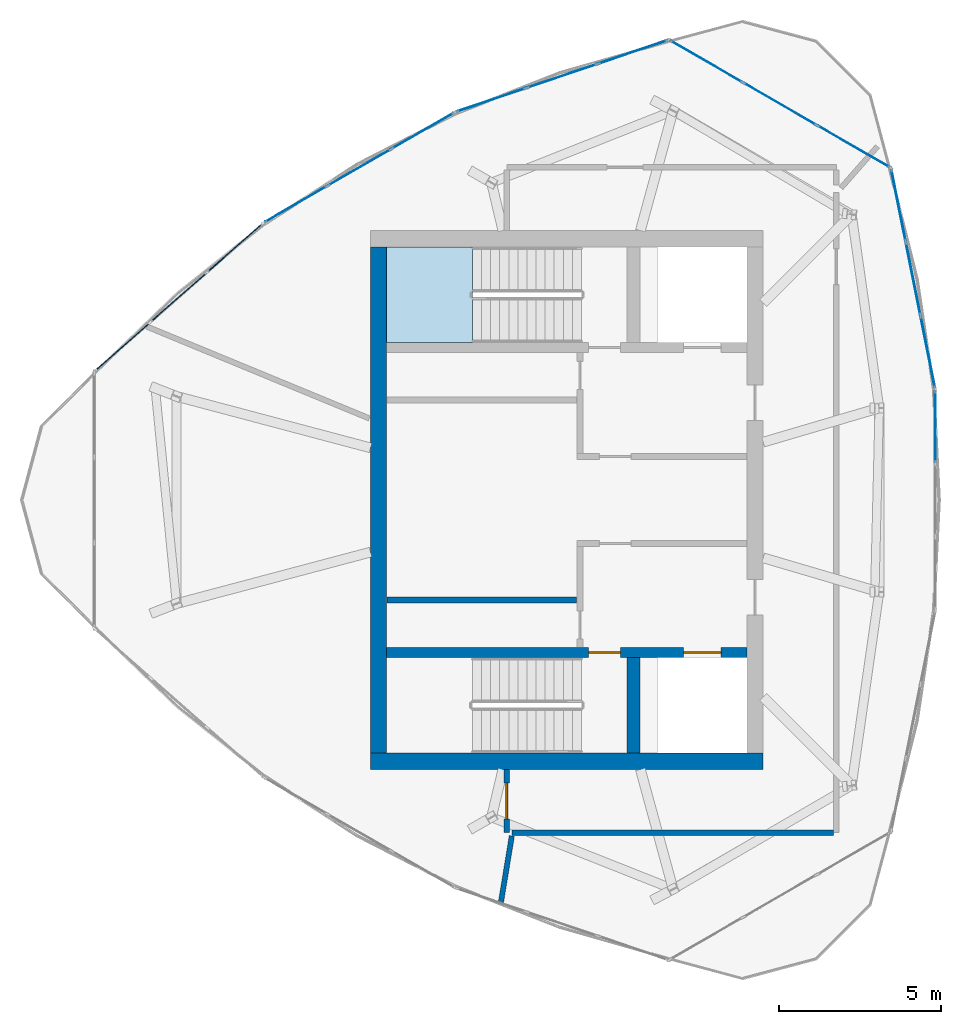
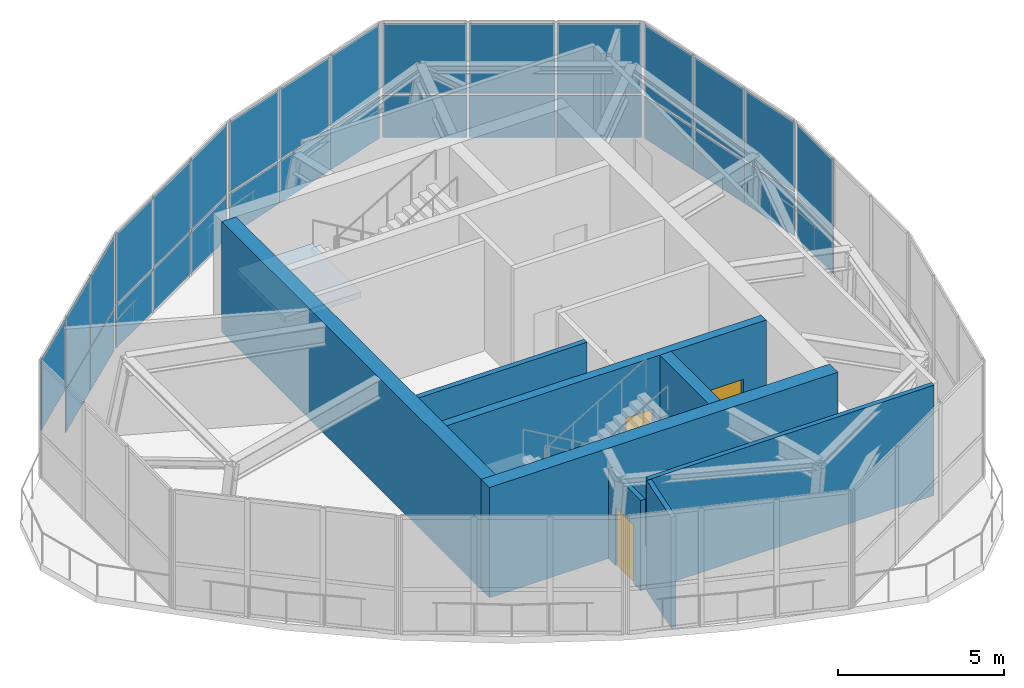
# One storey, part 6 of 9: 31 plates, 8 walls, 3 doors, 1 slab, 3 openings, 7 elements without a shape of their own.
"""IFC4 building model written with IfcOpenShell, lengths in metres."""

from ifc_helpers import new_model, si_unit, direction, frame, frame_2d, origin, origin_2d, place, context, subcontext, project, spatial, polyline, rectangle, outline, extrude, source, transform, mapped, material, layer, layer_set, type_object, element, fill, aggregate, save


model = new_model("IFC4")

# Units and contexts
model_context = context("Model", 3, precision=1e-05, world=origin(), true_north=direction((0.0, 1.0)))
body_context = subcontext(model_context, "Body", "Model", "MODEL_VIEW")
ifc_project = project(units=[si_unit("LENGTHUNIT", "METRE"), si_unit("AREAUNIT", "SQUARE_METRE"), si_unit("VOLUMEUNIT", "CUBIC_METRE"), si_unit("PLANEANGLEUNIT", "RADIAN"), si_unit("MASSUNIT", "GRAM", prefix="KILO")], contexts=[model_context])

# Site, building, storey
site_placement = place(None, origin())
site = spatial("IfcSite", under=ifc_project, at=site_placement, CompositionType="ELEMENT")
building_placement = place(site_placement, origin())
building = spatial("IfcBuilding", under=site, at=building_placement, Name="Qafzar Sky-Pleat Residences", CompositionType="ELEMENT")
storey_placement = place(building_placement, frame((0.0, 0.0, 266.10009765625)))
storey = spatial("IfcBuildingStorey", under=building, at=storey_placement, Name="L79 Crown", CompositionType="ELEMENT", Elevation=266.10009765625)

# Stair, slab
ifc_material_1 = material(Name="Concrete C40/50", Category="concrete")
stair_type = type_object("IfcStairType", Name="STAIR-H430", PredefinedType="HALF_TURN_STAIR", material=ifc_material_1)
stair_placement = place(storey_placement, origin())
stair = element("IfcStair", 1, at=stair_placement, inside=storey, type_object=stair_type, Name="L79 Crown Protected Exit Stair ST2", PredefinedType="HALF_TURN_STAIR")
ifc_layer_1 = layer(ifc_material_1, 0.199951171875)
ifc_layer_set_1 = layer_set([ifc_layer_1], Name="Concrete C40/50")
slab_type = type_object("IfcSlabType", Name="SLAB-LANDING-200", PredefinedType="LANDING", material=ifc_layer_set_1)
slab_placement = place(storey_placement, frame((0.0, 0.0, 1.949951171875)))
slab = element("IfcSlab", 2, at=slab_placement, type_object=slab_type, Name="ST2 landing 1", PredefinedType="LANDING", context=body_context, shape_type="SweptSolid", body=[
    extrude(outline(polyline([(27.43994140625, 33.800048828125), (24.800048828125, 33.800048828125), (24.800048828125, 30.85009765625), (27.43994140625, 30.85009765625), (27.43994140625, 33.800048828125)])), origin(), (0.0, 0.0, 1.0), 0.199951171875),
])
aggregate(stair, [slab])

# Curtain wall, plates
ifc_material_2 = material(Name="Anodised bronze aluminium framing", Category="aluminium")
ifc_layer_2 = layer(ifc_material_2, 0.179931640625)
ifc_layer_set_2 = layer_set([ifc_layer_2], Name="Anodised bronze aluminium framing")
curtain_wall_type = type_object("IfcCurtainWallType", Name="CW-SYS-06", PredefinedType="NOTDEFINED", material=ifc_layer_set_2)
curtain_wall_1_placement = place(storey_placement, origin())
curtain_wall_1 = element("IfcCurtainWall", 3, at=curtain_wall_1_placement, inside=storey, type_object=curtain_wall_type, Name="L79 Crown CW-06 Curtain Wall CW-CROWN-04-09", PredefinedType="NOTDEFINED")
ifc_material_3 = material(Name="Solar-control double low-E glazing", Category="glass")
ifc_layer_3 = layer(ifc_material_3, 0.02587890625)
ifc_layer_set_3 = layer_set([ifc_layer_3], Name="Solar-control double low-E glazing")
plate_type = type_object("IfcPlateType", Name="CWP-06", PredefinedType="CURTAIN_PANEL", material=ifc_layer_set_3)
shared_shape_1 = source(origin(), body_context, "Body", "SweptSolid", [
    extrude(rectangle(XDim=2.544189453125, YDim=0.02587890625, at=origin_2d()), origin(), (0.0, 0.0, 1.0), 1.5439453125),
])
plate_1_placement = place(storey_placement, frame((39.184326171875, 36.890869140625, 0.059814453125), z_axis=(0.0, 0.0, 1.0), x_axis=(-0.866024595172, 0.500001400555, 0.0)))
plate_1 = element("IfcPlate", 4, at=plate_1_placement, type_object=plate_type, Name="CW-06 panel 1.1", PredefinedType="CURTAIN_PANEL", context=body_context, shape_type="MappedRepresentation", body=[
    mapped(shared_shape_1, transform((0.0, 0.0, 0.0), x_axis=(1.0, 0.0, 0.0), y_axis=(0.0, 1.0, 0.0), z_axis=(0.0, 0.0, 1.0), scale=1.0)),
])
plate_2_placement = place(storey_placement, frame((34.647705078125, 39.51025390625, 0.059814453125), z_axis=(0.0, 0.0, 1.0), x_axis=(-0.866024595172, 0.500001400555, 0.0)))
plate_2 = element("IfcPlate", 5, at=plate_2_placement, type_object=plate_type, Name="CW-06 panel 3.1", PredefinedType="CURTAIN_PANEL", context=body_context, shape_type="MappedRepresentation", body=[
    mapped(shared_shape_1, transform((0.0, 0.0, 0.0), x_axis=(1.0, 0.0, 0.0), y_axis=(0.0, 1.0, 0.0), z_axis=(0.0, 0.0, 1.0), scale=1.0)),
])
shared_shape_2 = source(origin(), body_context, "Body", "SweptSolid", [
    extrude(rectangle(XDim=2.544189453125, YDim=0.02587890625, at=origin_2d()), origin(), (0.0, 0.0, 1.0), 2.575927734375),
])
plate_3_placement = place(storey_placement, frame((39.184326171875, 36.890869140625, 1.6640625), z_axis=(0.0, 0.0, 1.0), x_axis=(-0.866024595172, 0.500001400555, 0.0)))
plate_3 = element("IfcPlate", 6, at=plate_3_placement, type_object=plate_type, Name="CW-06 panel 1.2", PredefinedType="CURTAIN_PANEL", context=body_context, shape_type="MappedRepresentation", body=[
    mapped(shared_shape_2, transform((0.0, 0.0, 0.0), x_axis=(1.0, 0.0, 0.0), y_axis=(0.0, 1.0, 0.0), z_axis=(0.0, 0.0, 1.0), scale=1.0)),
])
plate_4_placement = place(storey_placement, frame((34.647705078125, 39.51025390625, 1.6640625), z_axis=(0.0, 0.0, 1.0), x_axis=(-0.866024595172, 0.500001400555, 0.0)))
plate_4 = element("IfcPlate", 7, at=plate_4_placement, type_object=plate_type, Name="CW-06 panel 3.2", PredefinedType="CURTAIN_PANEL", context=body_context, shape_type="MappedRepresentation", body=[
    mapped(shared_shape_2, transform((0.0, 0.0, 0.0), x_axis=(1.0, 0.0, 0.0), y_axis=(0.0, 1.0, 0.0), z_axis=(0.0, 0.0, 1.0), scale=1.0)),
])
shared_shape_3 = source(origin(), body_context, "Body", "SweptSolid", [
    extrude(rectangle(XDim=2.57421875, YDim=0.02587890625, at=origin_2d()), origin(), (0.0, 0.0, 1.0), 1.5439453125),
])
plate_5_placement = place(storey_placement, frame((36.916015625, 38.200439453125, 0.059814453125), z_axis=(0.0, 0.0, 1.0), x_axis=(-0.866024595172, 0.500001400555, 0.0)))
plate_5 = element("IfcPlate", 8, at=plate_5_placement, type_object=plate_type, Name="CW-06 panel 2.1", PredefinedType="CURTAIN_PANEL", context=body_context, shape_type="MappedRepresentation", body=[
    mapped(shared_shape_3, transform((0.0, 0.0, 0.0), x_axis=(1.0, 0.0, 0.0), y_axis=(0.0, 1.0, 0.0), z_axis=(0.0, 0.0, 1.0), scale=1.0)),
])
shared_shape_4 = source(origin(), body_context, "Body", "SweptSolid", [
    extrude(rectangle(XDim=2.57421875, YDim=0.02587890625, at=origin_2d()), origin(), (0.0, 0.0, 1.0), 2.575927734375),
])
plate_6_placement = place(storey_placement, frame((36.916015625, 38.200439453125, 1.6640625), z_axis=(0.0, 0.0, 1.0), x_axis=(-0.866024595172, 0.500001400555, 0.0)))
plate_6 = element("IfcPlate", 9, at=plate_6_placement, type_object=plate_type, Name="CW-06 panel 2.2", PredefinedType="CURTAIN_PANEL", context=body_context, shape_type="MappedRepresentation", body=[
    mapped(shared_shape_4, transform((0.0, 0.0, 0.0), x_axis=(1.0, 0.0, 0.0), y_axis=(0.0, 1.0, 0.0), z_axis=(0.0, 0.0, 1.0), scale=1.0)),
])
aggregate(curtain_wall_1, [plate_1, plate_3, plate_5, plate_6, plate_2, plate_4])

curtain_wall_2_placement = place(storey_placement, origin())
curtain_wall_2 = element("IfcCurtainWall", 10, at=curtain_wall_2_placement, inside=storey, type_object=curtain_wall_type, Name="L79 Crown CW-06 Curtain Wall CW-CROWN-04-10", PredefinedType="NOTDEFINED")
shared_shape_5 = source(origin(), body_context, "Body", "SweptSolid", [
    extrude(rectangle(XDim=2.227294921875, YDim=0.02587890625, at=origin_2d()), origin(), (0.0, 0.0, 1.0), 1.5439453125),
])
plate_7_placement = place(storey_placement, frame((32.38232421875, 39.800048828125, 0.059814453125), z_axis=(0.0, 0.0, 1.0), x_axis=(-0.947267034417, -0.320445261328, 0.0)))
plate_7 = element("IfcPlate", 11, at=plate_7_placement, type_object=plate_type, Name="CW-06 panel 1.1", PredefinedType="CURTAIN_PANEL", context=body_context, shape_type="MappedRepresentation", body=[
    mapped(shared_shape_5, transform((0.0, 0.0, 0.0), x_axis=(1.0, 0.0, 0.0), y_axis=(0.0, 1.0, 0.0), z_axis=(0.0, 0.0, 1.0), scale=1.0)),
])
plate_8_placement = place(storey_placement, frame((28.020751953125, 38.32470703125, 0.059814453125), z_axis=(0.0, 0.0, 1.0), x_axis=(-0.947267034417, -0.320445261328, 0.0)))
plate_8 = element("IfcPlate", 12, at=plate_8_placement, type_object=plate_type, Name="CW-06 panel 3.1", PredefinedType="CURTAIN_PANEL", context=body_context, shape_type="MappedRepresentation", body=[
    mapped(shared_shape_5, transform((0.0, 0.0, 0.0), x_axis=(1.0, 0.0, 0.0), y_axis=(0.0, 1.0, 0.0), z_axis=(0.0, 0.0, 1.0), scale=1.0)),
])

# Curtain wall, plate
curtain_wall_3_placement = place(storey_placement, origin())
curtain_wall_3 = element("IfcCurtainWall", 13, at=curtain_wall_3_placement, inside=storey, type_object=curtain_wall_type, Name="L79 Crown CW-06 Curtain Wall CW-CROWN-04-12", PredefinedType="NOTDEFINED")
plate_9_placement = place(storey_placement, frame((20.124267578125, 33.765625, 0.059814453125), z_axis=(0.0, 0.0, 1.0), x_axis=(-0.751155387696, -0.660125430154, 0.0)))
plate_9 = element("IfcPlate", 14, at=plate_9_placement, type_object=plate_type, Name="CW-06 panel 1.1", PredefinedType="CURTAIN_PANEL", context=body_context, shape_type="MappedRepresentation", body=[
    mapped(shared_shape_5, transform((0.0, 0.0, 0.0), x_axis=(1.0, 0.0, 0.0), y_axis=(0.0, 1.0, 0.0), z_axis=(0.0, 0.0, 1.0), scale=1.0)),
])

# Plate
shared_shape_6 = source(origin(), body_context, "Body", "SweptSolid", [
    extrude(rectangle(XDim=2.227294921875, YDim=0.02587890625, at=origin_2d()), origin(), (0.0, 0.0, 1.0), 2.575927734375),
])
plate_10_placement = place(storey_placement, frame((32.38232421875, 39.800048828125, 1.6640625), z_axis=(0.0, 0.0, 1.0), x_axis=(-0.947267034417, -0.320445261328, 0.0)))
plate_10 = element("IfcPlate", 15, at=plate_10_placement, type_object=plate_type, Name="CW-06 panel 1.2", PredefinedType="CURTAIN_PANEL", context=body_context, shape_type="MappedRepresentation", body=[
    mapped(shared_shape_6, transform((0.0, 0.0, 0.0), x_axis=(1.0, 0.0, 0.0), y_axis=(0.0, 1.0, 0.0), z_axis=(0.0, 0.0, 1.0), scale=1.0)),
])

plate_11_placement = place(storey_placement, frame((28.020751953125, 38.32470703125, 1.6640625), z_axis=(0.0, 0.0, 1.0), x_axis=(-0.947267034417, -0.320445261328, 0.0)))
plate_11 = element("IfcPlate", 16, at=plate_11_placement, type_object=plate_type, Name="CW-06 panel 3.2", PredefinedType="CURTAIN_PANEL", context=body_context, shape_type="MappedRepresentation", body=[
    mapped(shared_shape_6, transform((0.0, 0.0, 0.0), x_axis=(1.0, 0.0, 0.0), y_axis=(0.0, 1.0, 0.0), z_axis=(0.0, 0.0, 1.0), scale=1.0)),
])

plate_12_placement = place(storey_placement, frame((20.124267578125, 33.765625, 1.6640625), z_axis=(0.0, 0.0, 1.0), x_axis=(-0.751155387696, -0.660125430154, 0.0)))
plate_12 = element("IfcPlate", 17, at=plate_12_placement, type_object=plate_type, Name="CW-06 panel 1.2", PredefinedType="CURTAIN_PANEL", context=body_context, shape_type="MappedRepresentation", body=[
    mapped(shared_shape_6, transform((0.0, 0.0, 0.0), x_axis=(1.0, 0.0, 0.0), y_axis=(0.0, 1.0, 0.0), z_axis=(0.0, 0.0, 1.0), scale=1.0)),
])

plate_13_placement = place(storey_placement, frame((16.66552734375, 30.72607421875, 1.6640625), z_axis=(0.0, 0.0, 1.0), x_axis=(-0.751155387696, -0.660125430154, 0.0)))
plate_13 = element("IfcPlate", 18, at=plate_13_placement, type_object=plate_type, Name="CW-06 panel 3.2", PredefinedType="CURTAIN_PANEL", context=body_context, shape_type="MappedRepresentation", body=[
    mapped(shared_shape_6, transform((0.0, 0.0, 0.0), x_axis=(1.0, 0.0, 0.0), y_axis=(0.0, 1.0, 0.0), z_axis=(0.0, 0.0, 1.0), scale=1.0)),
])

# Curtain wall, plate
curtain_wall_4_placement = place(storey_placement, origin())
curtain_wall_4 = element("IfcCurtainWall", 19, at=curtain_wall_4_placement, inside=storey, type_object=curtain_wall_type, Name="L79 Crown CW-06 Curtain Wall CW-CROWN-04-08", PredefinedType="NOTDEFINED")
shared_shape_7 = source(origin(), body_context, "Body", "SweptSolid", [
    extrude(rectangle(XDim=2.257080078125, YDim=0.02587890625, at=origin_2d()), origin(), (0.0, 0.0, 1.0), 1.5439453125),
])
plate_14_placement = place(storey_placement, frame((41.01953125, 32.816650390625, 0.059814453125), z_axis=(0.0, 0.0, 1.0), x_axis=(-0.196116135138, 0.980580675691, 0.0)))
plate_14 = element("IfcPlate", 20, at=plate_14_placement, type_object=plate_type, Name="CW-06 panel 2.1", PredefinedType="CURTAIN_PANEL", context=body_context, shape_type="MappedRepresentation", body=[
    mapped(shared_shape_7, transform((0.0, 0.0, 0.0), x_axis=(1.0, 0.0, 0.0), y_axis=(0.0, 1.0, 0.0), z_axis=(0.0, 0.0, 1.0), scale=1.0)),
])

# Plate
plate_15_placement = place(storey_placement, frame((30.201416015625, 39.0625, 0.059814453125), z_axis=(0.0, 0.0, 1.0), x_axis=(-0.947267034417, -0.320445261328, 0.0)))
plate_15 = element("IfcPlate", 21, at=plate_15_placement, type_object=plate_type, Name="CW-06 panel 2.1", PredefinedType="CURTAIN_PANEL", context=body_context, shape_type="MappedRepresentation", body=[
    mapped(shared_shape_7, transform((0.0, 0.0, 0.0), x_axis=(1.0, 0.0, 0.0), y_axis=(0.0, 1.0, 0.0), z_axis=(0.0, 0.0, 1.0), scale=1.0)),
])

plate_16_placement = place(storey_placement, frame((18.394775390625, 32.245849609375, 0.059814453125), z_axis=(0.0, 0.0, 1.0), x_axis=(-0.751155387696, -0.660125430154, 0.0)))
plate_16 = element("IfcPlate", 22, at=plate_16_placement, type_object=plate_type, Name="CW-06 panel 2.1", PredefinedType="CURTAIN_PANEL", context=body_context, shape_type="MappedRepresentation", body=[
    mapped(shared_shape_7, transform((0.0, 0.0, 0.0), x_axis=(1.0, 0.0, 0.0), y_axis=(0.0, 1.0, 0.0), z_axis=(0.0, 0.0, 1.0), scale=1.0)),
])

shared_shape_8 = source(origin(), body_context, "Body", "SweptSolid", [
    extrude(rectangle(XDim=2.257080078125, YDim=0.02587890625, at=origin_2d()), origin(), (0.0, 0.0, 1.0), 2.575927734375),
])
plate_17_placement = place(storey_placement, frame((41.01953125, 32.816650390625, 1.6640625), z_axis=(0.0, 0.0, 1.0), x_axis=(-0.196116135138, 0.980580675691, 0.0)))
plate_17 = element("IfcPlate", 23, at=plate_17_placement, type_object=plate_type, Name="CW-06 panel 2.2", PredefinedType="CURTAIN_PANEL", context=body_context, shape_type="MappedRepresentation", body=[
    mapped(shared_shape_8, transform((0.0, 0.0, 0.0), x_axis=(1.0, 0.0, 0.0), y_axis=(0.0, 1.0, 0.0), z_axis=(0.0, 0.0, 1.0), scale=1.0)),
])

plate_18_placement = place(storey_placement, frame((30.201416015625, 39.0625, 1.6640625), z_axis=(0.0, 0.0, 1.0), x_axis=(-0.947267034417, -0.320445261328, 0.0)))
plate_18 = element("IfcPlate", 24, at=plate_18_placement, type_object=plate_type, Name="CW-06 panel 2.2", PredefinedType="CURTAIN_PANEL", context=body_context, shape_type="MappedRepresentation", body=[
    mapped(shared_shape_8, transform((0.0, 0.0, 0.0), x_axis=(1.0, 0.0, 0.0), y_axis=(0.0, 1.0, 0.0), z_axis=(0.0, 0.0, 1.0), scale=1.0)),
])

aggregate(curtain_wall_2, [plate_7, plate_10, plate_15, plate_18, plate_8, plate_11])

plate_19_placement = place(storey_placement, frame((18.394775390625, 32.245849609375, 1.6640625), z_axis=(0.0, 0.0, 1.0), x_axis=(-0.751155387696, -0.660125430154, 0.0)))
plate_19 = element("IfcPlate", 25, at=plate_19_placement, type_object=plate_type, Name="CW-06 panel 2.2", PredefinedType="CURTAIN_PANEL", context=body_context, shape_type="MappedRepresentation", body=[
    mapped(shared_shape_8, transform((0.0, 0.0, 0.0), x_axis=(1.0, 0.0, 0.0), y_axis=(0.0, 1.0, 0.0), z_axis=(0.0, 0.0, 1.0), scale=1.0)),
])

aggregate(curtain_wall_3, [plate_9, plate_12, plate_16, plate_19, plate_13])

# Curtain wall, plate
curtain_wall_5_placement = place(storey_placement, origin())
curtain_wall_5 = element("IfcCurtainWall", 26, at=curtain_wall_5_placement, inside=storey, type_object=curtain_wall_type, Name="L79 Crown CW-06 Curtain Wall CW-CROWN-04-07", PredefinedType="NOTDEFINED")
shared_shape_9 = source(origin(), body_context, "Body", "SweptSolid", [
    extrude(rectangle(XDim=2.18212890625, YDim=0.02587890625, at=origin_2d()), origin(), (0.0, 0.0, 1.0), 1.5439453125),
])
plate_20_placement = place(storey_placement, frame((41.701416015625, 28.257080078125, 0.059814453125), z_axis=(0.0, 0.0, 1.0), x_axis=(0.0, 1.0, 0.0)))
plate_20 = element("IfcPlate", 27, at=plate_20_placement, type_object=plate_type, Name="CW-06 panel 3.1", PredefinedType="CURTAIN_PANEL", context=body_context, shape_type="MappedRepresentation", body=[
    mapped(shared_shape_9, transform((0.0, 0.0, 0.0), x_axis=(1.0, 0.0, 0.0), y_axis=(0.0, 1.0, 0.0), z_axis=(0.0, 0.0, 1.0), scale=1.0)),
])

# Curtain wall, plates
curtain_wall_6_placement = place(storey_placement, origin())
curtain_wall_6 = element("IfcCurtainWall", 28, at=curtain_wall_6_placement, inside=storey, type_object=curtain_wall_type, Name="L79 Crown CW-06 Curtain Wall CW-CROWN-04-11", PredefinedType="NOTDEFINED")
plate_21_placement = place(storey_placement, frame((25.912109375, 37.373046875, 0.059814453125), z_axis=(0.0, 0.0, 1.0), x_axis=(-0.866023615218, -0.500003097875, 0.0)))
plate_21 = element("IfcPlate", 29, at=plate_21_placement, type_object=plate_type, Name="CW-06 panel 1.1", PredefinedType="CURTAIN_PANEL", context=body_context, shape_type="MappedRepresentation", body=[
    mapped(shared_shape_9, transform((0.0, 0.0, 0.0), x_axis=(1.0, 0.0, 0.0), y_axis=(0.0, 1.0, 0.0), z_axis=(0.0, 0.0, 1.0), scale=1.0)),
])
plate_22_placement = place(storey_placement, frame((22.002685546875, 35.115966796875, 0.059814453125), z_axis=(0.0, 0.0, 1.0), x_axis=(-0.866023615218, -0.500003097875, 0.0)))
plate_22 = element("IfcPlate", 30, at=plate_22_placement, type_object=plate_type, Name="CW-06 panel 3.1", PredefinedType="CURTAIN_PANEL", context=body_context, shape_type="MappedRepresentation", body=[
    mapped(shared_shape_9, transform((0.0, 0.0, 0.0), x_axis=(1.0, 0.0, 0.0), y_axis=(0.0, 1.0, 0.0), z_axis=(0.0, 0.0, 1.0), scale=1.0)),
])

# Plate
shared_shape_10 = source(origin(), body_context, "Body", "SweptSolid", [
    extrude(rectangle(XDim=2.18212890625, YDim=0.02587890625, at=origin_2d()), origin(), (0.0, 0.0, 1.0), 2.575927734375),
])
plate_23_placement = place(storey_placement, frame((41.701416015625, 28.257080078125, 1.6640625), z_axis=(0.0, 0.0, 1.0), x_axis=(0.0, 1.0, 0.0)))
plate_23 = element("IfcPlate", 31, at=plate_23_placement, type_object=plate_type, Name="CW-06 panel 3.2", PredefinedType="CURTAIN_PANEL", context=body_context, shape_type="MappedRepresentation", body=[
    mapped(shared_shape_10, transform((0.0, 0.0, 0.0), x_axis=(1.0, 0.0, 0.0), y_axis=(0.0, 1.0, 0.0), z_axis=(0.0, 0.0, 1.0), scale=1.0)),
])

aggregate(curtain_wall_5, [plate_20, plate_23])

plate_24_placement = place(storey_placement, frame((25.912109375, 37.373046875, 1.6640625), z_axis=(0.0, 0.0, 1.0), x_axis=(-0.866023615218, -0.500003097875, 0.0)))
plate_24 = element("IfcPlate", 32, at=plate_24_placement, type_object=plate_type, Name="CW-06 panel 1.2", PredefinedType="CURTAIN_PANEL", context=body_context, shape_type="MappedRepresentation", body=[
    mapped(shared_shape_10, transform((0.0, 0.0, 0.0), x_axis=(1.0, 0.0, 0.0), y_axis=(0.0, 1.0, 0.0), z_axis=(0.0, 0.0, 1.0), scale=1.0)),
])

plate_25_placement = place(storey_placement, frame((22.002685546875, 35.115966796875, 1.6640625), z_axis=(0.0, 0.0, 1.0), x_axis=(-0.866023615218, -0.500003097875, 0.0)))
plate_25 = element("IfcPlate", 33, at=plate_25_placement, type_object=plate_type, Name="CW-06 panel 3.2", PredefinedType="CURTAIN_PANEL", context=body_context, shape_type="MappedRepresentation", body=[
    mapped(shared_shape_10, transform((0.0, 0.0, 0.0), x_axis=(1.0, 0.0, 0.0), y_axis=(0.0, 1.0, 0.0), z_axis=(0.0, 0.0, 1.0), scale=1.0)),
])

shared_shape_11 = source(origin(), body_context, "Body", "SweptSolid", [
    extrude(rectangle(XDim=2.212158203125, YDim=0.02587890625, at=origin_2d()), origin(), (0.0, 0.0, 1.0), 1.5439453125),
])
plate_26_placement = place(storey_placement, frame((23.957275390625, 36.244384765625, 0.059814453125), z_axis=(0.0, 0.0, 1.0), x_axis=(-0.866023615218, -0.500003097875, 0.0)))
plate_26 = element("IfcPlate", 34, at=plate_26_placement, type_object=plate_type, Name="CW-06 panel 2.1", PredefinedType="CURTAIN_PANEL", context=body_context, shape_type="MappedRepresentation", body=[
    mapped(shared_shape_11, transform((0.0, 0.0, 0.0), x_axis=(1.0, 0.0, 0.0), y_axis=(0.0, 1.0, 0.0), z_axis=(0.0, 0.0, 1.0), scale=1.0)),
])

shared_shape_12 = source(origin(), body_context, "Body", "SweptSolid", [
    extrude(rectangle(XDim=2.212158203125, YDim=0.02587890625, at=origin_2d()), origin(), (0.0, 0.0, 1.0), 2.575927734375),
])
plate_27_placement = place(storey_placement, frame((23.957275390625, 36.244384765625, 1.6640625), z_axis=(0.0, 0.0, 1.0), x_axis=(-0.866023615218, -0.500003097875, 0.0)))
plate_27 = element("IfcPlate", 35, at=plate_27_placement, type_object=plate_type, Name="CW-06 panel 2.2", PredefinedType="CURTAIN_PANEL", context=body_context, shape_type="MappedRepresentation", body=[
    mapped(shared_shape_12, transform((0.0, 0.0, 0.0), x_axis=(1.0, 0.0, 0.0), y_axis=(0.0, 1.0, 0.0), z_axis=(0.0, 0.0, 1.0), scale=1.0)),
])

aggregate(curtain_wall_6, [plate_21, plate_24, plate_26, plate_27, plate_22, plate_25])

shared_shape_13 = source(origin(), body_context, "Body", "SweptSolid", [
    extrude(rectangle(XDim=2.22705078125, YDim=0.02587890625, at=origin_2d()), origin(), (0.0, 0.0, 1.0), 1.5439453125),
])
plate_28_placement = place(storey_placement, frame((41.47119140625, 30.55908203125, 0.059814453125), z_axis=(0.0, 0.0, 1.0), x_axis=(-0.196116135138, 0.980580675691, 0.0)))
plate_28 = element("IfcPlate", 36, at=plate_28_placement, type_object=plate_type, Name="CW-06 panel 1.1", PredefinedType="CURTAIN_PANEL", context=body_context, shape_type="MappedRepresentation", body=[
    mapped(shared_shape_13, transform((0.0, 0.0, 0.0), x_axis=(1.0, 0.0, 0.0), y_axis=(0.0, 1.0, 0.0), z_axis=(0.0, 0.0, 1.0), scale=1.0)),
])

plate_29_placement = place(storey_placement, frame((40.568115234375, 35.073974609375, 0.059814453125), z_axis=(0.0, 0.0, 1.0), x_axis=(-0.196116135138, 0.980580675691, 0.0)))
plate_29 = element("IfcPlate", 37, at=plate_29_placement, type_object=plate_type, Name="CW-06 panel 3.1", PredefinedType="CURTAIN_PANEL", context=body_context, shape_type="MappedRepresentation", body=[
    mapped(shared_shape_13, transform((0.0, 0.0, 0.0), x_axis=(1.0, 0.0, 0.0), y_axis=(0.0, 1.0, 0.0), z_axis=(0.0, 0.0, 1.0), scale=1.0)),
])

shared_shape_14 = source(origin(), body_context, "Body", "SweptSolid", [
    extrude(rectangle(XDim=2.22705078125, YDim=0.02587890625, at=origin_2d()), origin(), (0.0, 0.0, 1.0), 2.575927734375),
])
plate_30_placement = place(storey_placement, frame((41.47119140625, 30.55908203125, 1.6640625), z_axis=(0.0, 0.0, 1.0), x_axis=(-0.196116135138, 0.980580675691, 0.0)))
plate_30 = element("IfcPlate", 38, at=plate_30_placement, type_object=plate_type, Name="CW-06 panel 1.2", PredefinedType="CURTAIN_PANEL", context=body_context, shape_type="MappedRepresentation", body=[
    mapped(shared_shape_14, transform((0.0, 0.0, 0.0), x_axis=(1.0, 0.0, 0.0), y_axis=(0.0, 1.0, 0.0), z_axis=(0.0, 0.0, 1.0), scale=1.0)),
])

plate_31_placement = place(storey_placement, frame((40.568115234375, 35.073974609375, 1.6640625), z_axis=(0.0, 0.0, 1.0), x_axis=(-0.196116135138, 0.980580675691, 0.0)))
plate_31 = element("IfcPlate", 39, at=plate_31_placement, type_object=plate_type, Name="CW-06 panel 3.2", PredefinedType="CURTAIN_PANEL", context=body_context, shape_type="MappedRepresentation", body=[
    mapped(shared_shape_14, transform((0.0, 0.0, 0.0), x_axis=(1.0, 0.0, 0.0), y_axis=(0.0, 1.0, 0.0), z_axis=(0.0, 0.0, 1.0), scale=1.0)),
])

aggregate(curtain_wall_4, [plate_28, plate_30, plate_14, plate_17, plate_29, plate_31])

# Wall, opening, door
ifc_material_4 = material(Name="Acoustic gypsum plasterboard partition", Category="gypsum")
ifc_layer_4 = layer(ifc_material_4, 0.159912109375)
ifc_layer_set_4 = layer_set([ifc_layer_4], Name="Acoustic gypsum plasterboard partition")
wall_type_1 = type_object("IfcWallType", Name="PART-COR-160", PredefinedType="PARTITIONING", material=ifc_layer_set_4)
wall_1_placement = place(storey_placement, frame((28.5, 15.75, 0.0), z_axis=(0.0, 0.0, 1.0), x_axis=(0.0, 1.0, 0.0)))
wall_1 = element("IfcWall", 40, at=wall_1_placement, inside=storey, type_object=wall_type_1, Name="L79 Crown Partition Wall PART-L79_Crown-PW-003", PredefinedType="PARTITIONING", context=body_context, shape_type="SweptSolid", body=[
    extrude(rectangle(XDim=1.94189453125, YDim=0.159912109375, at=frame_2d((0.970947265625, 0.0))), origin(), (0.0, 0.0, 1.0), 3.31787109375),
])
opening_1_placement = place(wall_1_placement, frame((0.425048828125, 0.0, 0.0)))
opening_1 = element("IfcOpeningElement", 41, at=opening_1_placement, cuts=wall_1, Name="Opening ID-02", PredefinedType="OPENING", context=body_context, shape_type="SweptSolid", body=[
    extrude(rectangle(XDim=1.10009765625, YDim=2.14990234375, at=frame_2d((0.550048828125, 1.074951171875))), frame((0.0, 0.08984375, 0.0), z_axis=(0.0, -1.0, 0.0), x_axis=(1.0, 0.0, 0.0)), (0.0, 0.0, 1.0), 0.179931640625),
])
ifc_material_5 = material(Name="Timber-faced fire door", Category="wood")
door_type_1 = type_object("IfcDoorType", Name="DR-FFL-1100", OperationType="NOTDEFINED", PredefinedType="DOOR", material=ifc_material_5)
shared_shape_15 = source(origin(), body_context, "Body", "SweptSolid", [
    extrude(rectangle(XDim=1.10009765625, YDim=2.14990234375, at=frame_2d((0.550048828125, 1.074951171875))), frame((0.0, 0.02490234375, 0.0), z_axis=(0.0, -1.0, 0.0), x_axis=(1.0, 0.0, 0.0)), (0.0, 0.0, 1.0), 0.050048828125),
])
door_1_placement = place(opening_1_placement, origin())
door_1 = element("IfcDoor", 42, at=door_1_placement, inside=storey, type_object=door_type_1, Name="L79 Crown Crown Pressurization and Extract Fan Plant Room Door", OperationType="SINGLE_SWING_LEFT", OverallHeight=2.14990234375, OverallWidth=1.10009765625, PredefinedType="DOOR", context=body_context, shape_type="MappedRepresentation", body=[
    mapped(shared_shape_15, transform((0.0, 0.0, 0.0), x_axis=(1.0, 0.0, 0.0), y_axis=(0.0, 1.0, 0.0), z_axis=(0.0, 0.0, 1.0), scale=1.0)),
])
fill(opening_1, door_1)

# Walls
wall_2_placement = place(storey_placement, frame((28.655029296875, 15.75, 0.0), z_axis=(0.0, 0.0, 1.0), x_axis=(1.0, 0.0, 0.0)))
element("IfcWall", 43, at=wall_2_placement, inside=storey, type_object=wall_type_1, Name="L79 Crown Partition Wall PART-L79_Crown-PW-004", PredefinedType="PARTITIONING", context=body_context, shape_type="SweptSolid", body=[
    extrude(rectangle(XDim=9.906982421875, YDim=0.159912109375, at=frame_2d((4.95361328125, 0.0))), origin(), (0.0, 0.0, 1.0), 4.0498046875),
])
wall_3_placement = place(storey_placement, frame((28.3193359375, 13.6025390625, 0.0), z_axis=(0.0, 0.0, 1.0), x_axis=(0.161630316239, 0.986851377297, 0.0)))
element("IfcWall", 44, at=wall_3_placement, inside=storey, type_object=wall_type_1, Name="L79 Crown Partition Wall PART-L79_Crown-PW-006", PredefinedType="PARTITIONING", context=body_context, shape_type="SweptSolid", body=[
    extrude(rectangle(XDim=2.073974609375, YDim=0.159912109375, at=frame_2d((1.037109375, 0.0))), origin(), (0.0, 0.0, 1.0), 4.0498046875),
])
ifc_material_6 = material(Name="Concrete blockwork partition", Category="masonry")
ifc_layer_5 = layer(ifc_material_6, 0.179931640625)
ifc_layer_set_5 = layer_set([ifc_layer_5], Name="Concrete blockwork partition")
wall_type_2 = type_object("IfcWallType", Name="PART-SHAFT-180", PredefinedType="PARTITIONING", material=ifc_layer_set_5)
wall_4_placement = place(storey_placement, frame((24.81005859375, 22.919921875, 0.0), z_axis=(0.0, 0.0, 1.0), x_axis=(1.0, 0.0, 0.0)))
element("IfcWall", 45, at=wall_4_placement, inside=storey, type_object=wall_type_2, Name="L79 Crown Partition Wall PART-L79_Crown-P13-S", PredefinedType="PARTITIONING", context=body_context, shape_type="SweptSolid", body=[
    extrude(rectangle(XDim=5.83984375, YDim=0.179931640625, at=frame_2d((2.919921875, 0.0))), origin(), (0.0, 0.0, 1.0), 4.0498046875),
])

# Wall, openings, doors
ifc_material_7 = material(Name="Concrete C60/75", Category="concrete")
ifc_layer_6 = layer(ifc_material_7, 0.300048828125)
ifc_layer_set_6 = layer_set([ifc_layer_6], Name="Concrete C60/75")
wall_type_3 = type_object("IfcWallType", Name="WALL-SHEAR-300", PredefinedType="SHEAR", material=ifc_layer_set_6)
wall_5_placement = place(storey_placement, frame((24.800048828125, 21.300048828125, 0.0), z_axis=(0.0, 0.0, 1.0), x_axis=(1.0, 0.0, 0.0)))
wall_5 = element("IfcWall", 46, at=wall_5_placement, inside=storey, type_object=wall_type_3, Name="L79 Crown Stair ST1 and FF1 Shaft North Wall", PredefinedType="SHEAR", context=body_context, shape_type="SweptSolid", body=[
    extrude(rectangle(XDim=11.099853515625, YDim=0.300048828125, at=frame_2d((5.5498046875, 0.0))), origin(), (0.0, 0.0, 1.0), 4.0498046875),
])
opening_2_placement = place(wall_5_placement, frame((6.219970703125, 0.0, 0.0)))
opening_2 = element("IfcOpeningElement", 47, at=opening_2_placement, cuts=wall_5, Name="Opening ID-01", PredefinedType="OPENING", context=body_context, shape_type="SweptSolid", body=[
    extrude(rectangle(XDim=0.97998046875, YDim=2.14990234375, at=frame_2d((0.489990234375, 1.074951171875))), frame((0.0, 0.16015625, 0.0), z_axis=(0.0, -1.0, 0.0), x_axis=(1.0, 0.0, 0.0)), (0.0, 0.0, 1.0), 0.320068359375),
])
opening_3_placement = place(wall_5_placement, frame((9.14990234375, 0.0, 0.0)))
opening_3 = element("IfcOpeningElement", 48, at=opening_3_placement, cuts=wall_5, Name="Opening LD-02", PredefinedType="OPENING", context=body_context, shape_type="SweptSolid", body=[
    extrude(rectangle(XDim=1.14990234375, YDim=2.14990234375, at=frame_2d((0.574951171875, 1.074951171875))), frame((0.0, 0.16015625, 0.0), z_axis=(0.0, -1.0, 0.0), x_axis=(1.0, 0.0, 0.0)), (0.0, 0.0, 1.0), 0.320068359375),
])
door_type_2 = type_object("IfcDoorType", Name="DR-STAIR-980", OperationType="NOTDEFINED", PredefinedType="DOOR", material=ifc_material_5)
shared_shape_16 = source(origin(), body_context, "Body", "SweptSolid", [
    extrude(rectangle(XDim=0.97998046875, YDim=2.14990234375, at=frame_2d((0.489990234375, 1.074951171875))), frame((0.0, 0.02490234375, 0.0), z_axis=(0.0, -1.0, 0.0), x_axis=(1.0, 0.0, 0.0)), (0.0, 0.0, 1.0), 0.050048828125),
])
door_2_placement = place(opening_2_placement, origin())
door_2 = element("IfcDoor", 49, at=door_2_placement, inside=storey, type_object=door_type_2, Name="L79 Crown Stair ST1 Fire Door", OperationType="SINGLE_SWING_LEFT", OverallHeight=2.14990234375, OverallWidth=0.97998046875, PredefinedType="DOOR", context=body_context, shape_type="MappedRepresentation", body=[
    mapped(shared_shape_16, transform((0.0, 0.0, 0.0), x_axis=(1.0, 0.0, 0.0), y_axis=(0.0, 1.0, 0.0), z_axis=(0.0, 0.0, 1.0), scale=1.0)),
])
fill(opening_2, door_2)
ifc_material_8 = material(Name="Stainless steel sliding landing door", Category="steel")
door_type_3 = type_object("IfcDoorType", Name="DR-LIFT-FF", OperationType="DOUBLE_DOOR_SLIDING", PredefinedType="DOOR", material=ifc_material_8)
shared_shape_17 = source(origin(), body_context, "Body", "SweptSolid", [
    extrude(rectangle(XDim=1.14990234375, YDim=2.14990234375, at=frame_2d((0.574951171875, 1.074951171875))), frame((0.0, 0.02490234375, 0.0), z_axis=(0.0, -1.0, 0.0), x_axis=(1.0, 0.0, 0.0)), (0.0, 0.0, 1.0), 0.050048828125),
])
door_3_placement = place(opening_3_placement, origin())
door_3 = element("IfcDoor", 50, at=door_3_placement, inside=storey, type_object=door_type_3, Name="L79 Crown Firefighting Lift FF1 Landing Door", OperationType="DOUBLE_DOOR_SLIDING", OverallHeight=2.14990234375, OverallWidth=1.14990234375, PredefinedType="DOOR", context=body_context, shape_type="MappedRepresentation", body=[
    mapped(shared_shape_17, transform((0.0, 0.0, 0.0), x_axis=(1.0, 0.0, 0.0), y_axis=(0.0, 1.0, 0.0), z_axis=(0.0, 0.0, 1.0), scale=1.0)),
])
fill(opening_3, door_3)

# Walls
ifc_layer_7 = layer(ifc_material_7, 0.39990234375)
ifc_layer_set_7 = layer_set([ifc_layer_7], Name="Concrete C60/75")
wall_type_4 = type_object("IfcWallType", Name="WALL-SHEAR-400", PredefinedType="SHEAR", material=ifc_layer_set_7)
wall_6_placement = place(storey_placement, frame((32.39990234375, 18.199951171875, 0.0), z_axis=(0.0, 0.0, 1.0), x_axis=(0.0, 1.0, 0.0)))
element("IfcWall", 51, at=wall_6_placement, inside=storey, type_object=wall_type_4, Name="L79 Crown Stair ST1 East Dividing Wall", PredefinedType="SHEAR", context=body_context, shape_type="SweptSolid", body=[
    extrude(rectangle(XDim=2.949951171875, YDim=0.39990234375, at=frame_2d((1.47509765625, 0.0))), origin(), (0.0, 0.0, 1.0), 4.0498046875),
])
ifc_layer_8 = layer(ifc_material_7, 0.5)
ifc_layer_set_8 = layer_set([ifc_layer_8], Name="Concrete C60/75")
wall_type_5 = type_object("IfcWallType", Name="WALL-SHEAR-500", PredefinedType="SHEAR", material=ifc_layer_set_8)
wall_7_placement = place(storey_placement, frame((24.300048828125, 17.949951171875, 0.0), z_axis=(0.0, 0.0, 1.0), x_axis=(1.0, 0.0, 0.0)))
element("IfcWall", 52, at=wall_7_placement, inside=storey, type_object=wall_type_5, Name="L79 Crown CORE wall S", PredefinedType="SHEAR", context=body_context, shape_type="SweptSolid", body=[
    extrude(rectangle(XDim=12.099853515625, YDim=0.5, at=frame_2d((6.0498046875, 0.0))), origin(), (0.0, 0.0, 1.0), 4.0498046875),
])
wall_8_placement = place(storey_placement, frame((24.550048828125, 33.800048828125, 0.0), z_axis=(0.0, 0.0, 1.0), x_axis=(0.0, -1.0, 0.0)))
element("IfcWall", 53, at=wall_8_placement, inside=storey, type_object=wall_type_5, Name="L79 Crown CORE wall W", PredefinedType="SHEAR", context=body_context, shape_type="SweptSolid", body=[
    extrude(rectangle(XDim=15.60009765625, YDim=0.5, at=frame_2d((7.800048828125, 0.0))), origin(), (0.0, 0.0, 1.0), 4.0498046875),
])

save(model, "model.ifc")
